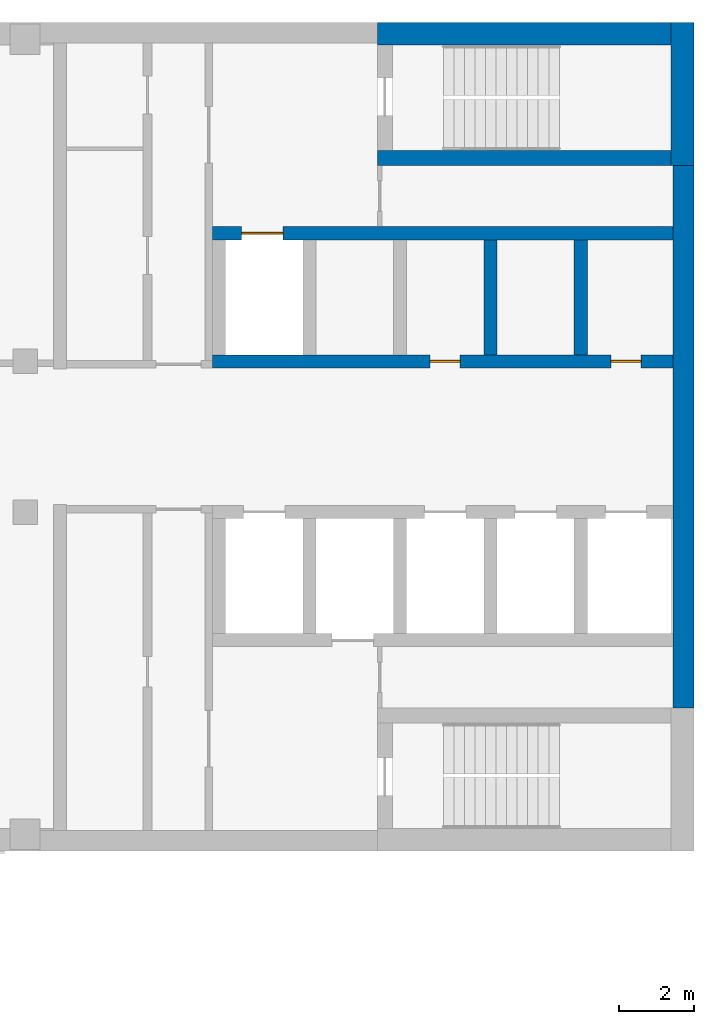
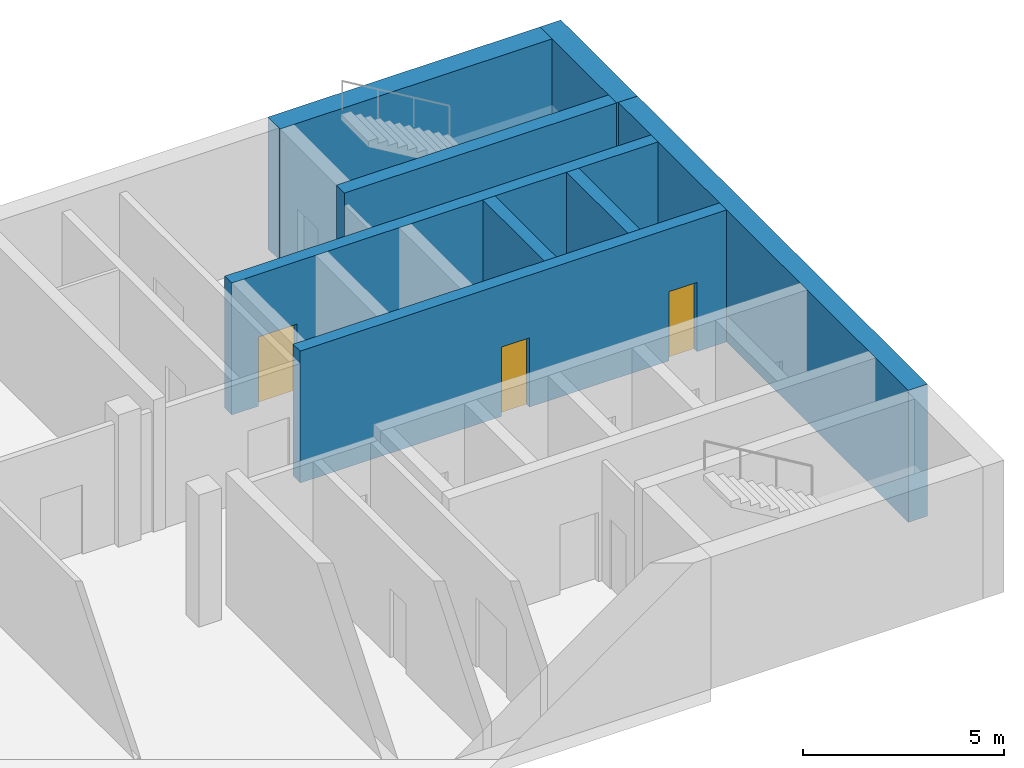
# One storey, part 7 of 9: 8 walls, 3 doors, 3 openings.
"""IFC4 building model written with IfcOpenShell, lengths in metres."""

from ifc_helpers import new_model, si_unit, direction, frame, frame_2d, origin, place, context, subcontext, project, spatial, rectangle, extrude, material, layer, layer_set, type_object, element, fill, save


model = new_model("IFC4")

# Units and contexts
model_context = context("Model", 3, precision=1e-05, world=origin(), true_north=direction((0.0, 1.0)))
body_context = subcontext(model_context, "Body", "Model", "MODEL_VIEW")
ifc_project = project(units=[si_unit("LENGTHUNIT", "METRE"), si_unit("AREAUNIT", "SQUARE_METRE"), si_unit("VOLUMEUNIT", "CUBIC_METRE"), si_unit("PLANEANGLEUNIT", "RADIAN"), si_unit("MASSUNIT", "GRAM", prefix="KILO")], contexts=[model_context])

# Site, building, storey
site_placement = place(None, origin())
site = spatial("IfcSite", under=ifc_project, at=site_placement, CompositionType="ELEMENT")
building_placement = place(site_placement, origin())
building = spatial("IfcBuilding", under=site, at=building_placement, Name="Skarvind Civic Tower", CompositionType="ELEMENT")
storey_placement = place(building_placement, frame((0.0, 0.0, 158.5)))
storey = spatial("IfcBuildingStorey", under=building, at=storey_placement, Name="L37", CompositionType="ELEMENT", Elevation=158.5)

# Wall, openings, doors
ifc_material_1 = material(Name="Concrete C60", Category="concrete")
ifc_layer_1 = layer(ifc_material_1, 0.35009765625)
ifc_layer_set_1 = layer_set([ifc_layer_1], Name="Core wall 350 C60")
wall_type_1 = type_object("IfcWallType", Name="Core wall 350 C60", PredefinedType="SHEAR", material=ifc_layer_set_1)
wall_1_placement = place(storey_placement, frame((107.449951171875, 130.0, 0.0), z_axis=(0.0, 0.0, 1.0), x_axis=(-1.0, 0.0, 0.0)))
wall_1 = element("IfcWall", 1, at=wall_1_placement, inside=storey, type_object=wall_type_1, Name="Core wall C1 south lift row front L37", PredefinedType="SHEAR", context=body_context, shape_type="SweptSolid", body=[
    extrude(rectangle(XDim=12.224853515625, YDim=0.35009765625, at=frame_2d((6.1123046875, 0.0))), origin(), (0.0, 0.0, 1.0), 4.0),
])
opening_1_placement = place(wall_1_placement, frame((0.85009765625, 0.0, 0.0)))
opening_1 = element("IfcOpeningElement", 2, at=opening_1_placement, cuts=wall_1, Name="Opening D-L37-C1-05", PredefinedType="OPENING", context=body_context, shape_type="SweptSolid", body=[
    extrude(rectangle(XDim=0.800048828125, YDim=2.10009765625, at=frame_2d((0.39990234375, 1.050048828125))), frame((0.0, 0.18505859375, 0.0), z_axis=(0.0, -1.0, 0.0), x_axis=(1.0, 0.0, 0.0)), (0.0, 0.0, 1.0), 0.3701171875),
])
opening_2_placement = place(wall_1_placement, frame((5.64990234375, 0.0, 0.0)))
opening_2 = element("IfcOpeningElement", 3, at=opening_2_placement, cuts=wall_1, Name="Opening D-L37-C1-06", PredefinedType="OPENING", context=body_context, shape_type="SweptSolid", body=[
    extrude(rectangle(XDim=0.800048828125, YDim=2.10009765625, at=frame_2d((0.39990234375, 1.050048828125))), frame((0.0, 0.18505859375, 0.0), z_axis=(0.0, -1.0, 0.0), x_axis=(1.0, 0.0, 0.0)), (0.0, 0.0, 1.0), 0.3701171875),
])
ifc_material_2 = material(Name="Fire-rated steel door", Category="steel")
door_type_1 = type_object("IfcDoorType", Name="Core riser door 800", OperationType="NOTDEFINED", PredefinedType="DOOR", material=ifc_material_2)
door_1_placement = place(opening_1_placement, origin())
door_1 = element("IfcDoor", 4, at=door_1_placement, inside=storey, type_object=door_type_1, Name="Riser door", OperationType="SINGLE_SWING_LEFT", OverallHeight=2.10009765625, OverallWidth=0.800048828125, PredefinedType="DOOR", context=body_context, shape_type="SweptSolid", body=[
    extrude(rectangle(XDim=0.800048828125, YDim=2.10009765625, at=frame_2d((0.39990234375, 1.050048828125))), frame((0.0, 0.02490234375, 0.0), z_axis=(0.0, -1.0, 0.0), x_axis=(1.0, 0.0, 0.0)), (0.0, 0.0, 1.0), 0.050048828125),
])
fill(opening_1, door_1)
door_2_placement = place(opening_2_placement, origin())
door_2 = element("IfcDoor", 5, at=door_2_placement, inside=storey, type_object=door_type_1, Name="Riser door", OperationType="SINGLE_SWING_RIGHT", OverallHeight=2.10009765625, OverallWidth=0.800048828125, PredefinedType="DOOR", context=body_context, shape_type="SweptSolid", body=[
    extrude(rectangle(XDim=0.800048828125, YDim=2.10009765625, at=frame_2d((0.39990234375, 1.050048828125))), frame((0.0, 0.02490234375, 0.0), z_axis=(0.0, -1.0, 0.0), x_axis=(1.0, 0.0, 0.0)), (0.0, 0.0, 1.0), 0.050048828125),
])
fill(opening_2, door_2)

# Wall, opening, door
wall_2_placement = place(storey_placement, frame((107.449951171875, 133.39990234375, 0.0), z_axis=(0.0, 0.0, 1.0), x_axis=(-1.0, 0.0, 0.0)))
wall_2 = element("IfcWall", 6, at=wall_2_placement, inside=storey, type_object=wall_type_1, Name="Core wall C1 south lift row back L37", PredefinedType="SHEAR", context=body_context, shape_type="SweptSolid", body=[
    extrude(rectangle(XDim=12.224853515625, YDim=0.35009765625, at=frame_2d((6.1123046875, 0.0))), origin(), (0.0, 0.0, 1.0), 4.0),
])
opening_3_placement = place(wall_2_placement, frame((10.35009765625, 0.0, 0.0)))
opening_3 = element("IfcOpeningElement", 7, at=opening_3_placement, cuts=wall_2, Name="Opening LD39110", PredefinedType="OPENING", context=body_context, shape_type="SweptSolid", body=[
    extrude(rectangle(XDim=1.10009765625, YDim=2.10009765625, at=frame_2d((0.550048828125, 1.050048828125))), frame((0.0, 0.18505859375, 0.0), z_axis=(0.0, -1.0, 0.0), x_axis=(1.0, 0.0, 0.0)), (0.0, 0.0, 1.0), 0.3701171875),
])
ifc_material_3 = material(Name="Stainless steel landing door", Category="steel")
door_type_2 = type_object("IfcDoorType", Name="Lift landing door 1100", OperationType="DOUBLE_DOOR_SLIDING", PredefinedType="DOOR", material=ifc_material_3)
door_3_placement = place(opening_3_placement, origin())
door_3 = element("IfcDoor", 8, at=door_3_placement, inside=storey, type_object=door_type_2, Name="Lift landing door", OperationType="DOUBLE_DOOR_SLIDING", OverallHeight=2.10009765625, OverallWidth=1.10009765625, PredefinedType="DOOR", context=body_context, shape_type="SweptSolid", body=[
    extrude(rectangle(XDim=1.10009765625, YDim=2.10009765625, at=frame_2d((0.550048828125, 1.050048828125))), frame((0.0, 0.02490234375, 0.0), z_axis=(0.0, -1.0, 0.0), x_axis=(1.0, 0.0, 0.0)), (0.0, 0.0, 1.0), 0.050048828125),
])
fill(opening_3, door_3)

# Walls
for number, where, z_axis, x_axis, name in (
    (9, (105.0, 133.22509765625, 0.0), (0.0, 0.0, 1.0), (0.0, -1.0, 0.0), "Core wall C1 south lift row division 1 L37"),
    (10, (102.60009765625, 133.22509765625, 0.0), (0.0, 0.0, 1.0), (0.0, -1.0, 0.0), "Core wall C1 south lift row division 2 L37"),
):
    element("IfcWall", number, at=place(storey_placement, frame(where, z_axis=z_axis, x_axis=x_axis)), inside=storey, type_object=wall_type_1, Name=name, PredefinedType="SHEAR", context=body_context, shape_type="SweptSolid", body=[
        extrude(rectangle(XDim=3.050048828125, YDim=0.35009765625, at=frame_2d((1.52490234375, 0.0))), origin(), (0.0, 0.0, 1.0), 4.0),
    ])
ifc_layer_2 = layer(ifc_material_1, 0.39990234375)
ifc_layer_set_2 = layer_set([ifc_layer_2], Name="Core wall 400 C60")
wall_type_2 = type_object("IfcWallType", Name="Core wall 400 C60", PredefinedType="SHEAR", material=ifc_layer_set_2)
wall_3_placement = place(storey_placement, frame((107.39990234375, 135.39990234375, 0.0), z_axis=(0.0, 0.0, 1.0), x_axis=(-1.0, 0.0, 0.0)))
element("IfcWall", 11, at=wall_3_placement, inside=storey, type_object=wall_type_2, Name="Core wall C1 south stair inner L37", PredefinedType="SHEAR", context=body_context, shape_type="SweptSolid", body=[
    extrude(rectangle(XDim=7.7998046875, YDim=0.39990234375, at=frame_2d((3.89990234375, 0.0))), origin(), (0.0, 0.0, 1.0), 4.0),
])
ifc_layer_3 = layer(ifc_material_1, 0.550048828125)
ifc_layer_set_3 = layer_set([ifc_layer_3], Name="Core wall 550 C60")
wall_type_3 = type_object("IfcWallType", Name="Core wall 550 C60", PredefinedType="SHEAR", material=ifc_layer_set_3)
wall_4_placement = place(storey_placement, frame((107.72509765625, 135.199951171875, 0.0), z_axis=(0.0, 0.0, 1.0), x_axis=(0.0, -1.0, 0.0)))
element("IfcWall", 12, at=wall_4_placement, inside=storey, type_object=wall_type_3, Name="Core wall C1 tip between the stairs L37", PredefinedType="SHEAR", context=body_context, shape_type="SweptSolid", body=[
    extrude(rectangle(XDim=14.39990234375, YDim=0.550048828125, at=frame_2d((7.199951171875, 0.0))), origin(), (0.0, 0.0, 1.0), 4.0),
])
ifc_layer_4 = layer(ifc_material_1, 0.60009765625)
ifc_layer_set_4 = layer_set([ifc_layer_4], Name="Core wall 600 C60")
wall_type_4 = type_object("IfcWallType", Name="Core wall 600 C60", PredefinedType="SHEAR", material=ifc_layer_set_4)
wall_5_placement = place(storey_placement, frame((107.699951171875, 139.0, 0.0), z_axis=(0.0, 0.0, 1.0), x_axis=(0.0, -1.0, 0.0)))
element("IfcWall", 13, at=wall_5_placement, inside=storey, type_object=wall_type_4, Name="Core wall C1 tip at the south stair L37", PredefinedType="SHEAR", context=body_context, shape_type="SweptSolid", body=[
    extrude(rectangle(XDim=3.800048828125, YDim=0.60009765625, at=frame_2d((1.89990234375, 0.0))), origin(), (0.0, 0.0, 1.0), 4.0),
])
wall_6_placement = place(storey_placement, frame((107.39990234375, 138.699951171875, 0.0), z_axis=(0.0, 0.0, 1.0), x_axis=(-1.0, 0.0, 0.0)))
element("IfcWall", 14, at=wall_6_placement, inside=storey, type_object=wall_type_4, Name="Core wall C1 south side at the stair L37", PredefinedType="SHEAR", context=body_context, shape_type="SweptSolid", body=[
    extrude(rectangle(XDim=7.7998046875, YDim=0.60009765625, at=frame_2d((3.89990234375, 0.0))), origin(), (0.0, 0.0, 1.0), 4.0),
])

save(model, "model.ifc")
